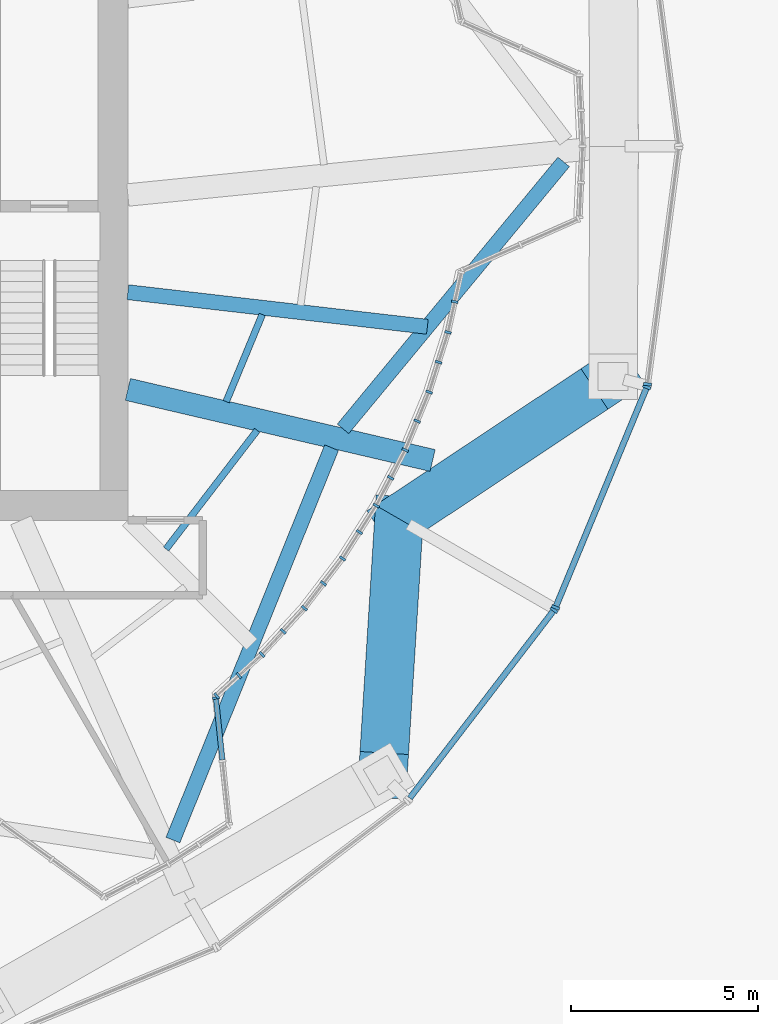
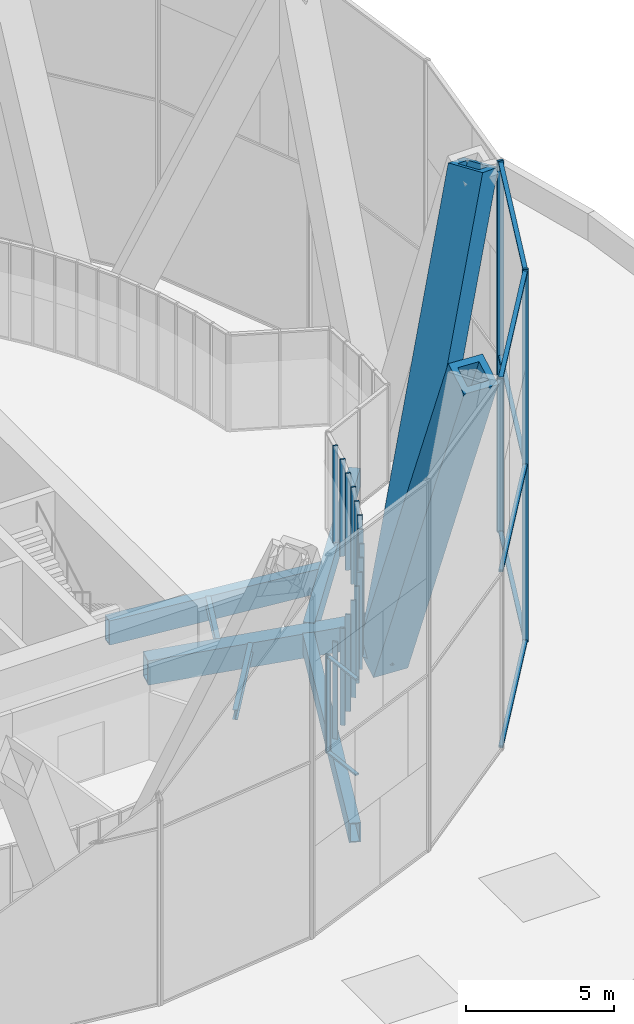
# One storey, part 4 of 27: 31 members, 6 beams, 12 elements without a shape of their own.
"""IFC4 building model written with IfcOpenShell, lengths in metres."""

from ifc_helpers import new_model, si_unit, direction, frame, origin, origin_2d, place, context, subcontext, project, spatial, rectangle, hollow_rectangle, i_section, extrude, material, material_profile, profile_set, type_object, element, aggregate, save


model = new_model("IFC4")

# Units and contexts
model_context = context("Model", 3, precision=1e-05, world=origin(), true_north=direction((0.0, 1.0)))
body_context = subcontext(model_context, "Body", "Model", "MODEL_VIEW")
ifc_project = project(units=[si_unit("LENGTHUNIT", "METRE"), si_unit("AREAUNIT", "SQUARE_METRE"), si_unit("VOLUMEUNIT", "CUBIC_METRE"), si_unit("PLANEANGLEUNIT", "RADIAN"), si_unit("MASSUNIT", "GRAM", prefix="KILO")], contexts=[model_context])

# Site, building, storey
site_placement = place(None, origin())
site = spatial("IfcSite", under=ifc_project, at=site_placement, CompositionType="ELEMENT")
building_placement = place(site_placement, origin())
building = spatial("IfcBuilding", under=site, at=building_placement, Name="Golbaran Civic Tower", CompositionType="ELEMENT")
storey_placement = place(building_placement, frame((0.0, 0.0, 21.0)))
storey = spatial("IfcBuildingStorey", under=building, at=storey_placement, Name="L04", CompositionType="ELEMENT", Elevation=21.0)

# Members
ifc_material_1 = material(Name="Steel S355", Category="steel")
ifc_material_profile_1 = material_profile(ifc_material_1, hollow_rectangle(XDim=1.300048828125, YDim=1.300048828125, WallThickness=0.25, at=origin_2d()), Name="BOX 1300x1300x250")
ifc_profile_set_1 = profile_set([ifc_material_profile_1], Name="Steel S355")
member_type_1 = type_object("IfcMemberType", Name="DIAGRID DIAGONAL BOX 1300x1300x250", PredefinedType="BRACE", material=ifc_profile_set_1)
member_1_placement = place(storey_placement, frame((17.25, -9.959228515625, -0.7099609375), z_axis=(0.328742402608, 0.218404518417, 0.918818752019), x_axis=(-0.55337148994, 0.832934567731, 0.0)))
element("IfcMember", 1, at=member_1_placement, inside=storey, type_object=member_type_1, Name="Diagonal D00-11R L04-L08", PredefinedType="BRACE", context=body_context, shape_type="SweptSolid", body=[
    extrude(hollow_rectangle(XDim=1.300048828125, YDim=1.300048828125, WallThickness=0.25, at=origin_2d()), origin(), (0.0, 0.0, 1.0), 17.41357421875),
])
member_2_placement = place(storey_placement, frame((17.25, -9.959228515625, -0.7099609375), z_axis=(-0.024773388533, -0.393906691689, 0.918816520021), x_axis=(0.998028176188, -0.06276750382, 0.0)))
element("IfcMember", 2, at=member_2_placement, inside=storey, type_object=member_type_1, Name="Diagonal D00-11L L04-L08", PredefinedType="BRACE", context=body_context, shape_type="SweptSolid", body=[
    extrude(hollow_rectangle(XDim=1.300048828125, YDim=1.300048828125, WallThickness=0.25, at=origin_2d()), origin(), (0.0, 0.0, 1.0), 17.413818359375),
])

# Beams
ifc_material_profile_2 = material_profile(ifc_material_1, hollow_rectangle(XDim=0.39990234375, YDim=0.800048828125, WallThickness=0.0400390625, at=origin_2d()), Name="BOX 800x400x40")
ifc_profile_set_2 = profile_set([ifc_material_profile_2], Name="Steel S355")
beam_type_1 = type_object("IfcBeamType", Name="EDGE BEAM BOX 800x400x40", PredefinedType="BEAM", material=ifc_profile_set_2)
beam_1_placement = place(storey_placement, frame((11.20458984375, -18.5498046875, -0.60009765625), z_axis=(0.37493987114, 0.927049131939, 0.0), x_axis=(-0.927049131939, 0.37493987114, 0.0)))
element("IfcBeam", 3, at=beam_1_placement, inside=storey, type_object=beam_type_1, Name="Edge beam 300.00 L04", PredefinedType="BEAM", context=body_context, shape_type="SweptSolid", body=[
    extrude(hollow_rectangle(XDim=0.39990234375, YDim=0.800048828125, WallThickness=0.0400390625, at=origin_2d()), origin(), (0.0, 0.0, 1.0), 11.317626953125),
])
beam_2_placement = place(storey_placement, frame((15.75341796875, -7.55419921875, -0.60009765625), z_axis=(0.637114409721, 0.770769244928, 0.0), x_axis=(-0.770769244928, 0.637114409721, 0.0)))
element("IfcBeam", 4, at=beam_2_placement, inside=storey, type_object=beam_type_1, Name="Edge beam 330.00 L04", PredefinedType="BEAM", context=body_context, shape_type="SweptSolid", body=[
    extrude(hollow_rectangle(XDim=0.39990234375, YDim=0.800048828125, WallThickness=0.0400390625, at=origin_2d()), origin(), (0.0, 0.0, 1.0), 9.26123046875),
])
ifc_material_profile_3 = material_profile(ifc_material_1, i_section(OverallWidth=0.179931640625, OverallDepth=0.39990234375, WebThickness=0.008544921875, FlangeThickness=0.013427734375, FilletRadius=0.02099609375, at=origin_2d()), Name="IPE 400")
ifc_profile_set_3 = profile_set([ifc_material_profile_3], Name="Steel S355")
beam_type_2 = type_object("IfcBeamType", Name="FLOOR INFILL BEAM IPE 400", PredefinedType="BEAM", material=ifc_profile_set_3)
beam_3_placement = place(storey_placement, frame((11.0224609375, -10.767822265625, -0.39990234375), z_axis=(0.608760731105, 0.793353875811, 0.0), x_axis=(-0.793353875811, 0.608760731105, 0.0)))
element("IfcBeam", 5, at=beam_3_placement, inside=storey, type_object=beam_type_2, Name="Infill beam 322.50 L04", PredefinedType="BEAM", context=body_context, shape_type="SweptSolid", body=[
    extrude(i_section(OverallWidth=0.179931640625, OverallDepth=0.39990234375, WebThickness=0.008544921875, FlangeThickness=0.013427734375, FilletRadius=0.02099609375, at=origin_2d()), origin(), (0.0, 0.0, 1.0), 4.000732421875),
])
beam_4_placement = place(storey_placement, frame((12.6298828125, -6.82568359375, -0.39990234375), z_axis=(0.382634050621, 0.923899985553, 0.0), x_axis=(-0.923899985553, 0.382634050621, 0.0)))
element("IfcBeam", 6, at=beam_4_placement, inside=storey, type_object=beam_type_2, Name="Infill beam 337.50 L04", PredefinedType="BEAM", context=body_context, shape_type="SweptSolid", body=[
    extrude(i_section(OverallWidth=0.179931640625, OverallDepth=0.39990234375, WebThickness=0.008544921875, FlangeThickness=0.013427734375, FilletRadius=0.02099609375, at=origin_2d()), origin(), (0.0, 0.0, 1.0), 2.52099609375),
])

# Curtain wall, member
ifc_material_2 = material(Name="Aluminium and glass", Category="aluminium")
curtain_wall_type_1 = type_object("IfcCurtainWallType", Name="INNER SKIN CURTAIN WALL", PredefinedType="NOTDEFINED", material=ifc_material_2)
curtain_wall_1_placement = place(storey_placement, origin())
curtain_wall_1 = element("IfcCurtainWall", 7, at=curtain_wall_1_placement, inside=storey, type_object=curtain_wall_type_1, Name="Inner skin L04 facet 62 CW1", ObjectType="INNER SKIN", PredefinedType="USERDEFINED")
ifc_material_3 = material(Name="Aluminium", Category="aluminium")
ifc_material_profile_4 = material_profile(ifc_material_3, rectangle(XDim=0.179931640625, YDim=0.06494140625, at=origin_2d()), Name="INNER SKIN CURTAIN WALL MULLION")
ifc_profile_set_4 = profile_set([ifc_material_profile_4], Name="Aluminium")
member_type_2 = type_object("IfcMemberType", Name="INNER SKIN CURTAIN WALL MULLION", PredefinedType="MULLION", material=ifc_profile_set_4)
member_3_placement = place(storey_placement, frame((12.3544921875, -14.751953125, 0.0), z_axis=(0.0, 0.0, 1.0), x_axis=(-0.994567542635, -0.104093242509, 0.0)))
member_3 = element("IfcMember", 8, at=member_3_placement, type_object=member_type_2, Name="CW1 mullion 3", PredefinedType="MULLION", context=body_context, shape_type="SweptSolid", body=[
    extrude(rectangle(XDim=0.179931640625, YDim=0.06494140625, at=origin_2d()), origin(), (0.0, 0.0, 1.0), 4.0),
])

# Curtain wall, members
curtain_wall_2_placement = place(storey_placement, origin())
curtain_wall_2 = element("IfcCurtainWall", 9, at=curtain_wall_2_placement, inside=storey, type_object=curtain_wall_type_1, Name="Inner skin L04 facet 63 CW1", ObjectType="INNER SKIN", PredefinedType="USERDEFINED")
member_4_placement = place(storey_placement, frame((12.375244140625, -14.697509765625, 0.0), z_axis=(0.0, 0.0, 1.0), x_axis=(-0.67559020804, 0.737277336421, 0.0)))
member_4 = element("IfcMember", 10, at=member_4_placement, type_object=member_type_2, Name="CW1 mullion 1", PredefinedType="MULLION", context=body_context, shape_type="SweptSolid", body=[
    extrude(rectangle(XDim=0.179931640625, YDim=0.06494140625, at=origin_2d()), origin(), (0.0, 0.0, 1.0), 4.0),
])
member_5_placement = place(storey_placement, frame((12.968994140625, -14.1533203125, 0.0), z_axis=(0.0, 0.0, 1.0), x_axis=(-0.67559020804, 0.737277336421, 0.0)))
member_5 = element("IfcMember", 11, at=member_5_placement, type_object=member_type_2, Name="CW1 mullion 2", PredefinedType="MULLION", context=body_context, shape_type="SweptSolid", body=[
    extrude(rectangle(XDim=0.179931640625, YDim=0.06494140625, at=origin_2d()), origin(), (0.0, 0.0, 1.0), 4.0),
])
member_6_placement = place(storey_placement, frame((13.587158203125, -13.587158203125, 0.0), z_axis=(0.0, 0.0, 1.0), x_axis=(-0.707106781236, 0.707106781137, 0.0)))
member_6 = element("IfcMember", 12, at=member_6_placement, type_object=member_type_2, Name="CW1 mullion 3", PredefinedType="MULLION", context=body_context, shape_type="SweptSolid", body=[
    extrude(rectangle(XDim=0.179931640625, YDim=0.06494140625, at=origin_2d()), origin(), (0.0, 0.0, 1.0), 4.0),
])
aggregate(curtain_wall_2, [member_4, member_5, member_6])

curtain_wall_3_placement = place(storey_placement, origin())
curtain_wall_3 = element("IfcCurtainWall", 13, at=curtain_wall_3_placement, inside=storey, type_object=curtain_wall_type_1, Name="Inner skin L04 facet 64 CW1", ObjectType="INNER SKIN", PredefinedType="USERDEFINED")
member_7_placement = place(storey_placement, frame((14.1533203125, -12.968994140625, 0.0), z_axis=(0.0, 0.0, 1.0), x_axis=(-0.737277336421, 0.67559020804, 0.0)))
member_7 = element("IfcMember", 14, at=member_7_placement, type_object=member_type_2, Name="CW1 mullion 2", PredefinedType="MULLION", context=body_context, shape_type="SweptSolid", body=[
    extrude(rectangle(XDim=0.179931640625, YDim=0.06494140625, at=origin_2d()), origin(), (0.0, 0.0, 1.0), 4.0),
])
member_8_placement = place(storey_placement, frame((14.719482421875, -12.35107421875, 0.0), z_axis=(0.0, 0.0, 1.0), x_axis=(-0.766044442996, 0.642787609834, 0.0)))
member_8 = element("IfcMember", 15, at=member_8_placement, type_object=member_type_2, Name="CW1 mullion 3", PredefinedType="MULLION", context=body_context, shape_type="SweptSolid", body=[
    extrude(rectangle(XDim=0.179931640625, YDim=0.06494140625, at=origin_2d()), origin(), (0.0, 0.0, 1.0), 4.0),
])
aggregate(curtain_wall_3, [member_7, member_8])

curtain_wall_4_placement = place(storey_placement, origin())
curtain_wall_4 = element("IfcCurtainWall", 16, at=curtain_wall_4_placement, inside=storey, type_object=curtain_wall_type_1, Name="Inner skin L04 facet 65 CW1", ObjectType="INNER SKIN", PredefinedType="USERDEFINED")
member_9_placement = place(storey_placement, frame((15.229736328125, -11.686279296875, 0.0), z_axis=(0.0, 0.0, 1.0), x_axis=(-0.793353340514, 0.608761428718, 0.0)))
member_9 = element("IfcMember", 17, at=member_9_placement, type_object=member_type_2, Name="CW1 mullion 2", PredefinedType="MULLION", context=body_context, shape_type="SweptSolid", body=[
    extrude(rectangle(XDim=0.179931640625, YDim=0.06494140625, at=origin_2d()), origin(), (0.0, 0.0, 1.0), 4.0),
])
member_10_placement = place(storey_placement, frame((15.739990234375, -11.021240234375, 0.0), z_axis=(0.0, 0.0, 1.0), x_axis=(-0.819152044349, 0.573576436265, 0.0)))
member_10 = element("IfcMember", 18, at=member_10_placement, type_object=member_type_2, Name="CW1 mullion 3", PredefinedType="MULLION", context=body_context, shape_type="SweptSolid", body=[
    extrude(rectangle(XDim=0.179931640625, YDim=0.06494140625, at=origin_2d()), origin(), (0.0, 0.0, 1.0), 4.0),
])
aggregate(curtain_wall_4, [member_9, member_10])

curtain_wall_5_placement = place(storey_placement, origin())
curtain_wall_5 = element("IfcCurtainWall", 19, at=curtain_wall_5_placement, inside=storey, type_object=curtain_wall_type_1, Name="Inner skin L04 facet 66 CW1", ObjectType="INNER SKIN", PredefinedType="USERDEFINED")
member_11_placement = place(storey_placement, frame((16.1904296875, -10.314453125, 0.0), z_axis=(0.0, 0.0, 1.0), x_axis=(-0.843391445653, 0.537299608597, 0.0)))
member_11 = element("IfcMember", 20, at=member_11_placement, type_object=member_type_2, Name="CW1 mullion 2", PredefinedType="MULLION", context=body_context, shape_type="SweptSolid", body=[
    extrude(rectangle(XDim=0.179931640625, YDim=0.06494140625, at=origin_2d()), origin(), (0.0, 0.0, 1.0), 4.0),
])
member_12_placement = place(storey_placement, frame((16.640625, -9.607421875, 0.0), z_axis=(0.0, 0.0, 1.0), x_axis=(-0.86602540375, 0.50000000006, 0.0)))
member_12 = element("IfcMember", 21, at=member_12_placement, type_object=member_type_2, Name="CW1 mullion 3", PredefinedType="MULLION", context=body_context, shape_type="SweptSolid", body=[
    extrude(rectangle(XDim=0.179931640625, YDim=0.06494140625, at=origin_2d()), origin(), (0.0, 0.0, 1.0), 4.0),
])
aggregate(curtain_wall_5, [member_11, member_12])

curtain_wall_6_placement = place(storey_placement, origin())
curtain_wall_6 = element("IfcCurtainWall", 22, at=curtain_wall_6_placement, inside=storey, type_object=curtain_wall_type_1, Name="Inner skin L04 facet 67 CW1", ObjectType="INNER SKIN", PredefinedType="USERDEFINED")
member_13_placement = place(storey_placement, frame((17.027587890625, -8.864013671875, 0.0), z_axis=(0.0, 0.0, 1.0), x_axis=(-0.887010833267, 0.461748613065, 0.0)))
member_13 = element("IfcMember", 23, at=member_13_placement, type_object=member_type_2, Name="CW1 mullion 2", PredefinedType="MULLION", context=body_context, shape_type="SweptSolid", body=[
    extrude(rectangle(XDim=0.179931640625, YDim=0.06494140625, at=origin_2d()), origin(), (0.0, 0.0, 1.0), 4.0),
])
member_14_placement = place(storey_placement, frame((17.414794921875, -8.12060546875, 0.0), z_axis=(0.0, 0.0, 1.0), x_axis=(-0.906307787074, 0.422618261662, 0.0)))
member_14 = element("IfcMember", 24, at=member_14_placement, type_object=member_type_2, Name="CW1 mullion 3", PredefinedType="MULLION", context=body_context, shape_type="SweptSolid", body=[
    extrude(rectangle(XDim=0.179931640625, YDim=0.06494140625, at=origin_2d()), origin(), (0.0, 0.0, 1.0), 4.0),
])
aggregate(curtain_wall_6, [member_13, member_14])

curtain_wall_7_placement = place(storey_placement, origin())
curtain_wall_7 = element("IfcCurtainWall", 25, at=curtain_wall_7_placement, inside=storey, type_object=curtain_wall_type_1, Name="Inner skin L04 facet 68 CW1", ObjectType="INNER SKIN", PredefinedType="USERDEFINED")
member_15_placement = place(storey_placement, frame((17.7353515625, -7.34619140625, 0.0), z_axis=(0.0, 0.0, 1.0), x_axis=(-0.923879532585, 0.382683432188, 0.0)))
member_15 = element("IfcMember", 26, at=member_15_placement, type_object=member_type_2, Name="CW1 mullion 2", PredefinedType="MULLION", context=body_context, shape_type="SweptSolid", body=[
    extrude(rectangle(XDim=0.179931640625, YDim=0.06494140625, at=origin_2d()), origin(), (0.0, 0.0, 1.0), 4.0),
])
member_16_placement = place(storey_placement, frame((18.05615234375, -6.572021484375, 0.0), z_axis=(0.0, 0.0, 1.0), x_axis=(-0.93969262078, 0.342020143342, 0.0)))
member_16 = element("IfcMember", 27, at=member_16_placement, type_object=member_type_2, Name="CW1 mullion 3", PredefinedType="MULLION", context=body_context, shape_type="SweptSolid", body=[
    extrude(rectangle(XDim=0.179931640625, YDim=0.06494140625, at=origin_2d()), origin(), (0.0, 0.0, 1.0), 4.0),
])
aggregate(curtain_wall_7, [member_15, member_16])

curtain_wall_8_placement = place(storey_placement, origin())
curtain_wall_8 = element("IfcCurtainWall", 28, at=curtain_wall_8_placement, inside=storey, type_object=curtain_wall_type_1, Name="Inner skin L04 facet 69 CW1", ObjectType="INNER SKIN", PredefinedType="USERDEFINED")
member_17_placement = place(storey_placement, frame((18.308349609375, -5.7724609375, 0.0), z_axis=(0.0, 0.0, 1.0), x_axis=(-0.953716950685, 0.300705799704, 0.0)))
member_17 = element("IfcMember", 29, at=member_17_placement, type_object=member_type_2, Name="CW1 mullion 2", PredefinedType="MULLION", context=body_context, shape_type="SweptSolid", body=[
    extrude(rectangle(XDim=0.179931640625, YDim=0.06494140625, at=origin_2d()), origin(), (0.0, 0.0, 1.0), 4.0),
])
member_18_placement = place(storey_placement, frame((18.560302734375, -4.97314453125, 0.0), z_axis=(0.0, 0.0, 1.0), x_axis=(-0.965925826257, 0.258819045221, 0.0)))
member_18 = element("IfcMember", 30, at=member_18_placement, type_object=member_type_2, Name="CW1 mullion 3", PredefinedType="MULLION", context=body_context, shape_type="SweptSolid", body=[
    extrude(rectangle(XDim=0.179931640625, YDim=0.06494140625, at=origin_2d()), origin(), (0.0, 0.0, 1.0), 4.0),
])
aggregate(curtain_wall_8, [member_17, member_18])

# Curtain wall, member
curtain_wall_9_placement = place(storey_placement, origin())
curtain_wall_9 = element("IfcCurtainWall", 31, at=curtain_wall_9_placement, inside=storey, type_object=curtain_wall_type_1, Name="Inner skin L04 facet 70 CW1", ObjectType="INNER SKIN", PredefinedType="USERDEFINED")
member_19_placement = place(storey_placement, frame((18.74169921875, -4.155029296875, 0.0), z_axis=(0.0, 0.0, 1.0), x_axis=(-0.976296007124, 0.216439613921, 0.0)))
member_19 = element("IfcMember", 32, at=member_19_placement, type_object=member_type_2, Name="CW1 mullion 2", PredefinedType="MULLION", context=body_context, shape_type="SweptSolid", body=[
    extrude(rectangle(XDim=0.179931640625, YDim=0.06494140625, at=origin_2d()), origin(), (0.0, 0.0, 1.0), 4.0),
])
aggregate(curtain_wall_9, [member_19])

# Member
ifc_material_profile_5 = material_profile(ifc_material_3, rectangle(XDim=0.139892578125, YDim=0.06494140625, at=origin_2d()), Name="INNER SKIN CURTAIN WALL TRANSOM")
ifc_profile_set_5 = profile_set([ifc_material_profile_5], Name="Aluminium")
member_type_3 = type_object("IfcMemberType", Name="INNER SKIN CURTAIN WALL TRANSOM", PredefinedType="USERDEFINED", material=ifc_profile_set_5)
member_20_placement = place(storey_placement, frame((12.52734375, -16.403564453125, 0.032470703125), z_axis=(-0.104060344305, 0.994570985271, 0.0), x_axis=(-0.994570985271, -0.104060344305, 0.0)))
member_20 = element("IfcMember", 33, at=member_20_placement, type_object=member_type_3, Name="CW1 transom 2.1", ObjectType="TRANSOM", PredefinedType="USERDEFINED", context=body_context, shape_type="SweptSolid", body=[
    extrude(rectangle(XDim=0.139892578125, YDim=0.06494140625, at=origin_2d()), origin(), (0.0, 0.0, 1.0), 1.628173828125),
])

member_21_placement = place(storey_placement, frame((12.52734375, -16.403564453125, 3.967529296875), z_axis=(-0.104060344305, 0.994570985271, 0.0), x_axis=(-0.994570985271, -0.104060344305, 0.0)))
member_21 = element("IfcMember", 34, at=member_21_placement, type_object=member_type_3, Name="CW1 transom 2.2", ObjectType="TRANSOM", PredefinedType="USERDEFINED", context=body_context, shape_type="SweptSolid", body=[
    extrude(rectangle(XDim=0.139892578125, YDim=0.06494140625, at=origin_2d()), origin(), (0.0, 0.0, 1.0), 1.628173828125),
])

aggregate(curtain_wall_1, [member_3, member_20, member_21])

# Curtain wall, member
curtain_wall_type_2 = type_object("IfcCurtainWallType", Name="OUTER SKIN TERRACOTTA SCREEN", PredefinedType="NOTDEFINED", material=ifc_material_2)
curtain_wall_10_placement = place(storey_placement, origin())
curtain_wall_10 = element("IfcCurtainWall", 35, at=curtain_wall_10_placement, inside=storey, type_object=curtain_wall_type_2, Name="Outer skin L04 facet 22 CW3", ObjectType="OUTER SKIN", PredefinedType="USERDEFINED")
ifc_material_profile_6 = material_profile(ifc_material_3, rectangle(XDim=0.219970703125, YDim=0.080078125, at=origin_2d()), Name="OUTER SKIN TERRACOTTA SCREEN MULLION")
ifc_profile_set_6 = profile_set([ifc_material_profile_6], Name="Aluminium")
member_type_4 = type_object("IfcMemberType", Name="OUTER SKIN TERRACOTTA SCREEN MULLION", PredefinedType="MULLION", material=ifc_profile_set_6)
member_22_placement = place(storey_placement, frame((21.396728515625, -12.399169921875, 0.0), z_axis=(0.0, 0.0, 1.0), x_axis=(-0.793353340312, 0.608761428981, 0.0)))
member_22 = element("IfcMember", 36, at=member_22_placement, type_object=member_type_4, Name="CW3 mullion 2", PredefinedType="MULLION", context=body_context, shape_type="SweptSolid", body=[
    extrude(rectangle(XDim=0.219970703125, YDim=0.080078125, at=origin_2d()), origin(), (0.0, 0.0, 1.0), 15.2900390625),
])

# Curtain wall, members
curtain_wall_11_placement = place(storey_placement, origin())
curtain_wall_11 = element("IfcCurtainWall", 37, at=curtain_wall_11_placement, inside=storey, type_object=curtain_wall_type_2, Name="Outer skin L04 facet 23 CW3", ObjectType="OUTER SKIN", PredefinedType="USERDEFINED")
member_23_placement = place(storey_placement, frame((21.4365234375, -12.33056640625, 0.0), z_axis=(0.0, 0.0, 1.0), x_axis=(-0.923879532538, 0.382683432301, 0.0)))
member_23 = element("IfcMember", 38, at=member_23_placement, type_object=member_type_4, Name="CW3 mullion 1", PredefinedType="MULLION", context=body_context, shape_type="SweptSolid", body=[
    extrude(rectangle(XDim=0.219970703125, YDim=0.080078125, at=origin_2d()), origin(), (0.0, 0.0, 1.0), 15.2900390625),
])
member_24_placement = place(storey_placement, frame((23.876953125, -6.43896484375, 0.0), z_axis=(0.0, 0.0, 1.0), x_axis=(-0.923879532538, 0.382683432301, 0.0)))
member_24 = element("IfcMember", 39, at=member_24_placement, type_object=member_type_4, Name="CW3 mullion 2", PredefinedType="MULLION", context=body_context, shape_type="SweptSolid", body=[
    extrude(rectangle(XDim=0.219970703125, YDim=0.080078125, at=origin_2d()), origin(), (0.0, 0.0, 1.0), 15.2900390625),
])

# Curtain wall, member
curtain_wall_12_placement = place(storey_placement, origin())
curtain_wall_12 = element("IfcCurtainWall", 40, at=curtain_wall_12_placement, inside=storey, type_object=curtain_wall_type_2, Name="Outer skin L04 facet 24 CW3", ObjectType="OUTER SKIN", PredefinedType="USERDEFINED")
member_25_placement = place(storey_placement, frame((23.8974609375, -6.3623046875, 0.0), z_axis=(0.0, 0.0, 1.0), x_axis=(-0.991444861369, 0.130526192255, 0.0)))
member_25 = element("IfcMember", 41, at=member_25_placement, type_object=member_type_4, Name="CW3 mullion 1", PredefinedType="MULLION", context=body_context, shape_type="SweptSolid", body=[
    extrude(rectangle(XDim=0.219970703125, YDim=0.080078125, at=origin_2d()), origin(), (0.0, 0.0, 1.0), 15.2900390625),
])
aggregate(curtain_wall_12, [member_25])

# Member
ifc_material_profile_7 = material_profile(ifc_material_3, rectangle(XDim=0.159912109375, YDim=0.080078125, at=origin_2d()), Name="OUTER SKIN TERRACOTTA SCREEN TRANSOM")
ifc_profile_set_7 = profile_set([ifc_material_profile_7], Name="Aluminium")
member_type_5 = type_object("IfcMemberType", Name="OUTER SKIN TERRACOTTA SCREEN TRANSOM", PredefinedType="USERDEFINED", material=ifc_profile_set_7)
member_26_placement = place(storey_placement, frame((17.5390625, -17.4267578125, 0.0400390625), z_axis=(0.608766012827, 0.793349822983, 0.0), x_axis=(-0.793349822983, 0.608766012827, 0.0)))
member_26 = element("IfcMember", 42, at=member_26_placement, type_object=member_type_5, Name="CW3 transom 1.1", ObjectType="TRANSOM", PredefinedType="USERDEFINED", context=body_context, shape_type="SweptSolid", body=[
    extrude(rectangle(XDim=0.159912109375, YDim=0.080078125, at=origin_2d()), origin(), (0.0, 0.0, 1.0), 6.297119140625),
])

member_27_placement = place(storey_placement, frame((17.5390625, -17.4267578125, 7.2900390625), z_axis=(0.608766012827, 0.793349822983, 0.0), x_axis=(-0.793349822983, 0.608766012827, 0.0)))
member_27 = element("IfcMember", 43, at=member_27_placement, type_object=member_type_5, Name="CW3 transom 1.2", ObjectType="TRANSOM", PredefinedType="USERDEFINED", context=body_context, shape_type="SweptSolid", body=[
    extrude(rectangle(XDim=0.159912109375, YDim=0.080078125, at=origin_2d()), origin(), (0.0, 0.0, 1.0), 6.297119140625),
])

member_28_placement = place(storey_placement, frame((17.5390625, -17.4267578125, 15.25), z_axis=(0.608766012827, 0.793349822983, 0.0), x_axis=(-0.793349822983, 0.608766012827, 0.0)))
member_28 = element("IfcMember", 44, at=member_28_placement, type_object=member_type_5, Name="CW3 transom 1.3", ObjectType="TRANSOM", PredefinedType="USERDEFINED", context=body_context, shape_type="SweptSolid", body=[
    extrude(rectangle(XDim=0.159912109375, YDim=0.080078125, at=origin_2d()), origin(), (0.0, 0.0, 1.0), 6.297119140625),
])

aggregate(curtain_wall_10, [member_22, member_26, member_27, member_28])

member_29_placement = place(storey_placement, frame((21.45166015625, -12.293701171875, 0.0400390625), z_axis=(0.38269305572, 0.923875546328, 0.0), x_axis=(-0.923875546328, 0.38269305572, 0.0)))
member_29 = element("IfcMember", 45, at=member_29_placement, type_object=member_type_5, Name="CW3 transom 1.1", ObjectType="TRANSOM", PredefinedType="USERDEFINED", context=body_context, shape_type="SweptSolid", body=[
    extrude(rectangle(XDim=0.159912109375, YDim=0.080078125, at=origin_2d()), origin(), (0.0, 0.0, 1.0), 6.29736328125),
])

member_30_placement = place(storey_placement, frame((21.45166015625, -12.293701171875, 7.2900390625), z_axis=(0.38269305572, 0.923875546328, 0.0), x_axis=(-0.923875546328, 0.38269305572, 0.0)))
member_30 = element("IfcMember", 46, at=member_30_placement, type_object=member_type_5, Name="CW3 transom 1.2", ObjectType="TRANSOM", PredefinedType="USERDEFINED", context=body_context, shape_type="SweptSolid", body=[
    extrude(rectangle(XDim=0.159912109375, YDim=0.080078125, at=origin_2d()), origin(), (0.0, 0.0, 1.0), 6.29736328125),
])

member_31_placement = place(storey_placement, frame((21.45166015625, -12.293701171875, 15.25), z_axis=(0.38269305572, 0.923875546328, 0.0), x_axis=(-0.923875546328, 0.38269305572, 0.0)))
member_31 = element("IfcMember", 47, at=member_31_placement, type_object=member_type_5, Name="CW3 transom 1.3", ObjectType="TRANSOM", PredefinedType="USERDEFINED", context=body_context, shape_type="SweptSolid", body=[
    extrude(rectangle(XDim=0.159912109375, YDim=0.080078125, at=origin_2d()), origin(), (0.0, 0.0, 1.0), 6.29736328125),
])

aggregate(curtain_wall_11, [member_23, member_24, member_29, member_30, member_31])

# Beams
ifc_material_profile_8 = material_profile(ifc_material_1, hollow_rectangle(XDim=0.60009765625, YDim=1.0, WallThickness=0.06005859375, at=origin_2d()), Name="BOX 1000x600x60")
ifc_profile_set_8 = profile_set([ifc_material_profile_8], Name="Steel S355")
beam_type_3 = type_object("IfcBeamType", Name="RADIAL FLOOR BEAM BOX 1000x600x60", PredefinedType="BEAM", material=ifc_profile_set_8)
beam_5_placement = place(storey_placement, frame((10.0, -6.5, -0.7099609375), z_axis=(0.973874338669, -0.227087587688, 0.0), x_axis=(0.227087587688, 0.973874338669, 0.0)))
element("IfcBeam", 48, at=beam_5_placement, inside=storey, type_object=beam_type_3, Name="Radial beam 330.00 L04", PredefinedType="BEAM", context=body_context, shape_type="SweptSolid", body=[
    extrude(hollow_rectangle(XDim=0.60009765625, YDim=1.0, WallThickness=0.06005859375, at=origin_2d()), origin(), (0.0, 0.0, 1.0), 8.36865234375),
])
ifc_material_profile_9 = material_profile(ifc_material_1, hollow_rectangle(XDim=0.39990234375, YDim=1.0, WallThickness=0.050048828125, at=origin_2d()), Name="BOX 1000x400x50")
ifc_profile_set_9 = profile_set([ifc_material_profile_9], Name="Steel S355")
beam_type_4 = type_object("IfcBeamType", Name="SECONDARY FLOOR BEAM BOX 1000x400x50", PredefinedType="BEAM", material=ifc_profile_set_9)
beam_6_placement = place(storey_placement, frame((10.0, -3.89990234375, -0.7099609375), z_axis=(0.993388895048, -0.114797661976, 0.0), x_axis=(0.114797661976, 0.993388895048, 0.0)))
element("IfcBeam", 49, at=beam_6_placement, inside=storey, type_object=beam_type_4, Name="Secondary beam 345.00 L04", PredefinedType="BEAM", context=body_context, shape_type="SweptSolid", body=[
    extrude(hollow_rectangle(XDim=0.39990234375, YDim=1.0, WallThickness=0.050048828125, at=origin_2d()), origin(), (0.0, 0.0, 1.0), 8.062255859375),
])

save(model, "model.ifc")
